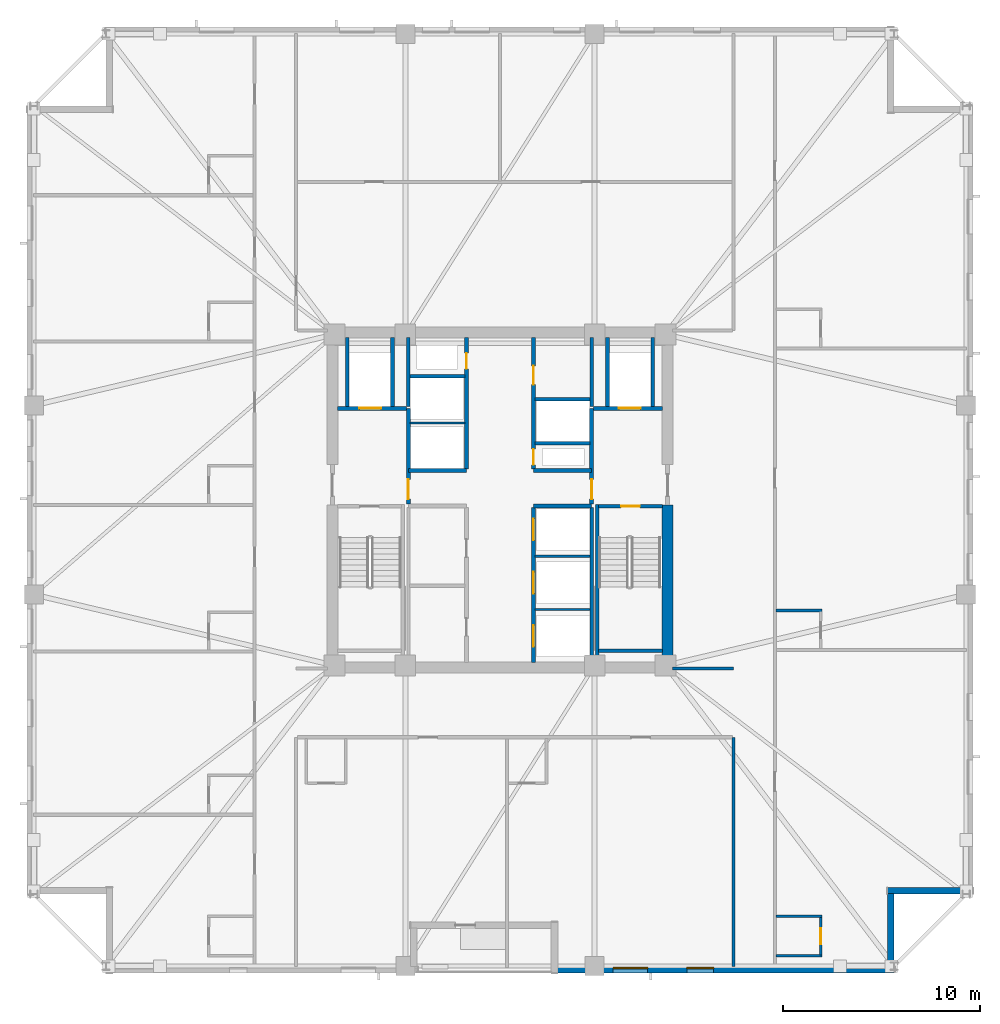
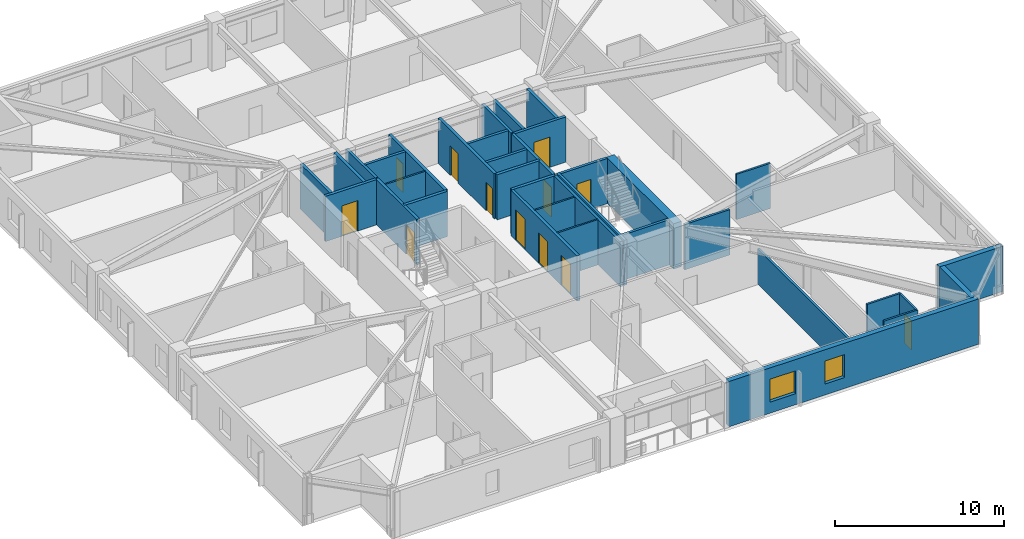
# One storey, part 4 of 11: 36 walls, 12 doors, 2 windows, 14 openings.
"""IFC4 building model written with IfcOpenShell, lengths in metres."""

from ifc_helpers import new_model, si_unit, direction, frame, frame_2d, origin, place, context, subcontext, project, spatial, rectangle, extrude, material, layer, layer_set, type_object, element, fill, save


model = new_model("IFC4")

# Units and contexts
model_context = context("Model", 3, precision=1e-05, world=origin(), true_north=direction((0.0, 1.0)))
body_context = subcontext(model_context, "Body", "Model", "MODEL_VIEW")
ifc_project = project(units=[si_unit("LENGTHUNIT", "METRE"), si_unit("AREAUNIT", "SQUARE_METRE"), si_unit("VOLUMEUNIT", "CUBIC_METRE"), si_unit("PLANEANGLEUNIT", "RADIAN"), si_unit("MASSUNIT", "GRAM", prefix="KILO")], contexts=[model_context])

# Site, building, storey
site_placement = place(None, origin())
site = spatial("IfcSite", under=ifc_project, at=site_placement, CompositionType="ELEMENT")
building_placement = place(site_placement, origin())
building = spatial("IfcBuilding", under=site, at=building_placement, Name="Cairnveth Concourse Tower", CompositionType="ELEMENT")
storey_placement = place(building_placement, frame((0.0, 0.0, 151.5)))
storey = spatial("IfcBuildingStorey", under=building, at=storey_placement, Name="L41", CompositionType="ELEMENT", Elevation=151.5)

# Walls
ifc_material_1 = material(Name="Gypsum Plasterboard Partition", Category="gypsum")
ifc_layer_1 = layer(ifc_material_1, 0.159912109375)
ifc_layer_set_1 = layer_set([ifc_layer_1], Name="Gypsum Plasterboard Partition")
wall_type_1 = type_object("IfcWallType", Name="ACOUSTIC PARTY WALL 180", PredefinedType="PARTITIONING", material=ifc_layer_set_1)
wall_1_placement = place(storey_placement, frame((63.85009765625, 15.324951171875, 0.0), z_axis=(0.0, 0.0, 1.0), x_axis=(0.0, 1.0, 0.0)))
element("IfcWall", 1, at=wall_1_placement, inside=storey, type_object=wall_type_1, Name="Interior Wall IW-L41-042", PredefinedType="PARTITIONING", context=body_context, shape_type="SweptSolid", body=[
    extrude(rectangle(XDim=11.635009765625, YDim=0.159912109375, at=frame_2d((5.8173828125, 0.0))), origin(), (0.0, 0.0, 1.0), 2.554931640625),
])
wall_2_placement = place(storey_placement, frame((60.764892578125, 30.449951171875, 0.0), z_axis=(0.0, 0.0, 1.0), x_axis=(1.0, 0.0, 0.0)))
element("IfcWall", 2, at=wall_2_placement, inside=storey, type_object=wall_type_1, Name="Interior Wall IW-L41-044", PredefinedType="PARTITIONING", context=body_context, shape_type="SweptSolid", body=[
    extrude(rectangle(XDim=3.085205078125, YDim=0.159912109375, at=frame_2d((1.54248046875, 0.0))), origin(), (0.0, 0.0, 1.0), 3.280029296875),
])
ifc_material_2 = material(Name="Concrete N80 (80 MPa)", Category="concrete")
ifc_layer_2 = layer(ifc_material_2, 0.550048828125)
ifc_layer_set_2 = layer_set([ifc_layer_2], Name="Concrete N80 (80 MPa)")
wall_type_2 = type_object("IfcWallType", Name="CORE SHEAR WALL 550", PredefinedType="SHEAR", material=ifc_layer_set_2)
wall_3_placement = place(storey_placement, frame((60.5, 30.764892578125, 0.0), z_axis=(0.0, 0.0, 1.0), x_axis=(0.0, 1.0, 0.0)))
element("IfcWall", 3, at=wall_3_placement, inside=storey, type_object=wall_type_2, Name="Core East Shear Wall S L41", PredefinedType="SHEAR", context=body_context, shape_type="SweptSolid", body=[
    extrude(rectangle(XDim=7.985107421875, YDim=0.550048828125, at=frame_2d((3.99267578125, 0.0))), origin(), (0.0, 0.0, 1.0), 3.280029296875),
])
ifc_material_3 = material(Name="Concrete N50 (50 MPa)", Category="concrete")
ifc_layer_3 = layer(ifc_material_3, 0.179931640625)
ifc_layer_set_3 = layer_set([ifc_layer_3], Name="Concrete N50 (50 MPa)")
wall_type_3 = type_object("IfcWallType", Name="FIRE SHAFT WALL 180", PredefinedType="SOLIDWALL", material=ifc_layer_set_3)
wall_4_placement = place(storey_placement, frame((56.64990234375, 30.760009765625, 0.0), z_axis=(0.0, 0.0, 1.0), x_axis=(0.0, 1.0, 0.0)))
element("IfcWall", 4, at=wall_4_placement, inside=storey, type_object=wall_type_3, Name="Interior Wall IW-L41-027", PredefinedType="SOLIDWALL", context=body_context, shape_type="SweptSolid", body=[
    extrude(rectangle(XDim=7.85498046875, YDim=0.179931640625, at=frame_2d((3.927490234375, 0.0))), origin(), (0.0, 0.0, 1.0), 3.280029296875),
])
wall_5_placement = place(storey_placement, frame((47.35009765625, 43.735107421875, 0.0), z_axis=(0.0, 0.0, 1.0), x_axis=(0.0, 1.0, 0.0)))
element("IfcWall", 5, at=wall_5_placement, inside=storey, type_object=wall_type_3, Name="Interior Wall IW-L41-030", PredefinedType="SOLIDWALL", context=body_context, shape_type="SweptSolid", body=[
    extrude(rectangle(XDim=3.5048828125, YDim=0.179931640625, at=frame_2d((1.75244140625, 0.0))), origin(), (0.0, 0.0, 1.0), 3.280029296875),
])
wall_6_placement = place(storey_placement, frame((47.425048828125, 45.280029296875, 0.0), z_axis=(0.0, 0.0, 1.0), x_axis=(1.0, 0.0, 0.0)))
element("IfcWall", 6, at=wall_6_placement, inside=storey, type_object=wall_type_3, Name="Interior Wall IW-L41-032", PredefinedType="SOLIDWALL", context=body_context, shape_type="SweptSolid", body=[
    extrude(rectangle(XDim=2.7900390625, YDim=0.179931640625, at=frame_2d((1.39501953125, 0.0))), origin(), (0.0, 0.0, 1.0), 3.280029296875),
])
wall_7_placement = place(storey_placement, frame((56.64990234375, 43.735107421875, 0.0), z_axis=(0.0, 0.0, 1.0), x_axis=(0.0, 1.0, 0.0)))
element("IfcWall", 7, at=wall_7_placement, inside=storey, type_object=wall_type_3, Name="Interior Wall IW-L41-033", PredefinedType="SOLIDWALL", context=body_context, shape_type="SweptSolid", body=[
    extrude(rectangle(XDim=3.5048828125, YDim=0.179931640625, at=frame_2d((1.75244140625, 0.0))), origin(), (0.0, 0.0, 1.0), 3.280029296875),
])
wall_8_placement = place(storey_placement, frame((53.784912109375, 41.8798828125, 0.0), z_axis=(0.0, 0.0, 1.0), x_axis=(1.0, 0.0, 0.0)))
element("IfcWall", 8, at=wall_8_placement, inside=storey, type_object=wall_type_3, Name="Interior Wall IW-L41-034", PredefinedType="SOLIDWALL", context=body_context, shape_type="SweptSolid", body=[
    extrude(rectangle(XDim=2.780029296875, YDim=0.179931640625, at=frame_2d((1.39013671875, 0.0))), origin(), (0.0, 0.0, 1.0), 3.280029296875),
])
wall_9_placement = place(storey_placement, frame((53.784912109375, 44.1201171875, 0.0), z_axis=(0.0, 0.0, 1.0), x_axis=(1.0, 0.0, 0.0)))
element("IfcWall", 9, at=wall_9_placement, inside=storey, type_object=wall_type_3, Name="Interior Wall IW-L41-035", PredefinedType="SOLIDWALL", context=body_context, shape_type="SweptSolid", body=[
    extrude(rectangle(XDim=2.7900390625, YDim=0.179931640625, at=frame_2d((1.39501953125, 0.0))), origin(), (0.0, 0.0, 1.0), 3.280029296875),
])

# Wall, opening, door
wall_10_placement = place(storey_placement, frame((57.0048828125, 38.68994140625, 0.0), z_axis=(0.0, 0.0, 1.0), x_axis=(1.0, 0.0, 0.0)))
wall_10 = element("IfcWall", 10, at=wall_10_placement, inside=storey, type_object=wall_type_3, Name="Stair ST-2 Shaft Wall NEAR L41", PredefinedType="SOLIDWALL", context=body_context, shape_type="SweptSolid", body=[
    extrude(rectangle(XDim=3.230224609375, YDim=0.179931640625, at=frame_2d((1.615234375, 0.0))), origin(), (0.0, 0.0, 1.0), 3.280029296875),
])
opening_1_placement = place(wall_10_placement, frame((1.139892578125, 0.0, 0.0)))
opening_1 = element("IfcOpeningElement", 11, at=opening_1_placement, cuts=wall_10, Name="Opening ID12", PredefinedType="OPENING", context=body_context, shape_type="SweptSolid", body=[
    extrude(rectangle(XDim=0.949951171875, YDim=2.14990234375, at=frame_2d((0.47509765625, 1.074951171875))), frame((0.0, 0.099853515625, 0.0), z_axis=(0.0, -1.0, 0.0), x_axis=(1.0, 0.0, 0.0)), (0.0, 0.0, 1.0), 0.199951171875),
])
ifc_material_4 = material(Name="Steel Grade 350", Category="steel")
door_type_1 = type_object("IfcDoorType", Name="FIRE STAIR DOOR 950X2150", OperationType="NOTDEFINED", PredefinedType="DOOR", material=ifc_material_4)
door_1_placement = place(opening_1_placement, origin())
door_1 = element("IfcDoor", 12, at=door_1_placement, inside=storey, type_object=door_type_1, Name="Stair ST-2 Fire Door L41", OperationType="SINGLE_SWING_RIGHT", OverallHeight=2.14990234375, OverallWidth=0.949951171875, PredefinedType="DOOR", context=body_context, shape_type="SweptSolid", body=[
    extrude(rectangle(XDim=0.949951171875, YDim=2.14990234375, at=frame_2d((0.47509765625, 1.074951171875))), frame((0.0, 0.02490234375, 0.0), z_axis=(0.0, -1.0, 0.0), x_axis=(1.0, 0.0, 0.0)), (0.0, 0.0, 1.0), 0.050048828125),
])
fill(opening_1, door_1)

# Walls
wall_11_placement = place(storey_placement, frame((57.0048828125, 31.360107421875, 0.0), z_axis=(0.0, 0.0, 1.0), x_axis=(1.0, 0.0, 0.0)))
element("IfcWall", 13, at=wall_11_placement, inside=storey, type_object=wall_type_3, Name="Stair ST-2 Shaft Wall FAR L41", PredefinedType="SOLIDWALL", context=body_context, shape_type="SweptSolid", body=[
    extrude(rectangle(XDim=3.230224609375, YDim=0.179931640625, at=frame_2d((1.615234375, 0.0))), origin(), (0.0, 0.0, 1.0), 3.280029296875),
])
wall_12_placement = place(storey_placement, frame((56.929931640625, 38.780029296875, 0.0), z_axis=(0.0, 0.0, 1.0), x_axis=(0.0, -1.0, 0.0)))
element("IfcWall", 14, at=wall_12_placement, inside=storey, type_object=wall_type_3, Name="Stair ST-2 Shaft Wall LEFT L41", PredefinedType="SOLIDWALL", context=body_context, shape_type="SweptSolid", body=[
    extrude(rectangle(XDim=8.01708984375, YDim=0.179931640625, at=frame_2d((4.008544921875, 0.0))), origin(), (0.0, 0.0, 1.0), 3.280029296875),
])
ifc_layer_4 = layer(ifc_material_3, 0.199951171875)
ifc_layer_set_4 = layer_set([ifc_layer_4], Name="Concrete N50 (50 MPa)")
wall_type_4 = type_object("IfcWallType", Name="FIRE SHAFT WALL 200", PredefinedType="SOLIDWALL", material=ifc_layer_set_4)
for number, where, z_axis, x_axis, name in (
    (15, (47.35009765625, 40.5, 0.0), (0.0, 0.0, 1.0), (1.0, 0.0, 0.0), "Interior Wall IW-L41-008"),
    (16, (53.699951171875, 38.699951171875, 0.0), (0.0, 0.0, 1.0), (1.0, 0.0, 0.0), "Interior Wall IW-L41-009"),
    (17, (53.699951171875, 40.5, 0.0), (0.0, 0.0, 1.0), (1.0, 0.0, 0.0), "Interior Wall IW-L41-010"),
):
    element("IfcWall", number, at=place(storey_placement, frame(where, z_axis=z_axis, x_axis=x_axis)), inside=storey, type_object=wall_type_4, Name=name, PredefinedType="SOLIDWALL", context=body_context, shape_type="SweptSolid", body=[
        extrude(rectangle(XDim=2.949951171875, YDim=0.199951171875, at=frame_2d((1.47509765625, 0.0))), origin(), (0.0, 0.0, 1.0), 3.280029296875),
    ])

# Wall, openings, doors
wall_13_placement = place(storey_placement, frame((53.699951171875, 30.760009765625, 0.0), z_axis=(0.0, 0.0, 1.0), x_axis=(0.0, 1.0, 0.0)))
wall_13 = element("IfcWall", 18, at=wall_13_placement, inside=storey, type_object=wall_type_4, Name="Interior Wall IW-L41-012", PredefinedType="SOLIDWALL", context=body_context, shape_type="SweptSolid", body=[
    extrude(rectangle(XDim=7.85498046875, YDim=0.199951171875, at=frame_2d((3.927490234375, 0.0))), origin(), (0.0, 0.0, 1.0), 3.280029296875),
])
opening_2_placement = place(wall_13_placement, frame((0.7900390625, 0.0, 0.0)))
opening_2 = element("IfcOpeningElement", 19, at=opening_2_placement, cuts=wall_13, Name="Opening LD-1", PredefinedType="OPENING", context=body_context, shape_type="SweptSolid", body=[
    extrude(rectangle(XDim=1.10009765625, YDim=2.199951171875, at=frame_2d((0.550048828125, 1.10009765625))), frame((0.0, 0.10986328125, 0.0), z_axis=(0.0, -1.0, 0.0), x_axis=(1.0, 0.0, 0.0)), (0.0, 0.0, 1.0), 0.219970703125),
])
opening_3_placement = place(wall_13_placement, frame((3.489990234375, 0.0, 0.0)))
opening_3 = element("IfcOpeningElement", 20, at=opening_3_placement, cuts=wall_13, Name="Opening LD-1", PredefinedType="OPENING", context=body_context, shape_type="SweptSolid", body=[
    extrude(rectangle(XDim=1.10009765625, YDim=2.199951171875, at=frame_2d((0.550048828125, 1.10009765625))), frame((0.0, 0.10986328125, 0.0), z_axis=(0.0, -1.0, 0.0), x_axis=(1.0, 0.0, 0.0)), (0.0, 0.0, 1.0), 0.219970703125),
])
opening_4_placement = place(wall_13_placement, frame((6.18994140625, 0.0, 0.0)))
opening_4 = element("IfcOpeningElement", 21, at=opening_4_placement, cuts=wall_13, Name="Opening LD-1", PredefinedType="OPENING", context=body_context, shape_type="SweptSolid", body=[
    extrude(rectangle(XDim=1.10009765625, YDim=2.199951171875, at=frame_2d((0.550048828125, 1.10009765625))), frame((0.0, 0.10986328125, 0.0), z_axis=(0.0, -1.0, 0.0), x_axis=(1.0, 0.0, 0.0)), (0.0, 0.0, 1.0), 0.219970703125),
])
ifc_material_5 = material(Name="Architectural Bronze Anodised Aluminium 6063-T6", Category="aluminium")
door_type_2 = type_object("IfcDoorType", Name="LIFT LANDING DOOR 1100X2200", OperationType="SLIDING_TO_LEFT", PredefinedType="DOOR", material=ifc_material_5)
door_2_placement = place(opening_2_placement, origin())
door_2 = element("IfcDoor", 22, at=door_2_placement, inside=storey, type_object=door_type_2, Name="Lift PL4 Landing Door L41", OperationType="SLIDING_TO_LEFT", OverallHeight=2.199951171875, OverallWidth=1.10009765625, PredefinedType="DOOR", context=body_context, shape_type="SweptSolid", body=[
    extrude(rectangle(XDim=1.10009765625, YDim=2.199951171875, at=frame_2d((0.550048828125, 1.10009765625))), frame((0.0, 0.02490234375, 0.0), z_axis=(0.0, -1.0, 0.0), x_axis=(1.0, 0.0, 0.0)), (0.0, 0.0, 1.0), 0.050048828125),
])
fill(opening_2, door_2)
door_3_placement = place(opening_3_placement, origin())
door_3 = element("IfcDoor", 23, at=door_3_placement, inside=storey, type_object=door_type_2, Name="Lift PL5 Landing Door L41", OperationType="SLIDING_TO_LEFT", OverallHeight=2.199951171875, OverallWidth=1.10009765625, PredefinedType="DOOR", context=body_context, shape_type="SweptSolid", body=[
    extrude(rectangle(XDim=1.10009765625, YDim=2.199951171875, at=frame_2d((0.550048828125, 1.10009765625))), frame((0.0, 0.02490234375, 0.0), z_axis=(0.0, -1.0, 0.0), x_axis=(1.0, 0.0, 0.0)), (0.0, 0.0, 1.0), 0.050048828125),
])
fill(opening_3, door_3)
door_4_placement = place(opening_4_placement, origin())
door_4 = element("IfcDoor", 24, at=door_4_placement, inside=storey, type_object=door_type_2, Name="Lift PL6 Landing Door L41", OperationType="SLIDING_TO_LEFT", OverallHeight=2.199951171875, OverallWidth=1.10009765625, PredefinedType="DOOR", context=body_context, shape_type="SweptSolid", body=[
    extrude(rectangle(XDim=1.10009765625, YDim=2.199951171875, at=frame_2d((0.550048828125, 1.10009765625))), frame((0.0, 0.02490234375, 0.0), z_axis=(0.0, -1.0, 0.0), x_axis=(1.0, 0.0, 0.0)), (0.0, 0.0, 1.0), 0.050048828125),
])
fill(opening_4, door_4)

# Wall, opening, door
wall_14_placement = place(storey_placement, frame((50.300048828125, 40.5849609375, 0.0), z_axis=(0.0, 0.0, 1.0), x_axis=(0.0, 1.0, 0.0)))
wall_14 = element("IfcWall", 25, at=wall_14_placement, inside=storey, type_object=wall_type_4, Name="Interior Wall IW-L41-013", PredefinedType="SOLIDWALL", context=body_context, shape_type="SweptSolid", body=[
    extrude(rectangle(XDim=6.655029296875, YDim=0.199951171875, at=frame_2d((3.32763671875, 0.0))), origin(), (0.0, 0.0, 1.0), 3.280029296875),
])
opening_5_placement = place(wall_14_placement, frame((5.06494140625, 0.0, 0.0)))
opening_5 = element("IfcOpeningElement", 26, at=opening_5_placement, cuts=wall_14, Name="Opening ID24", PredefinedType="OPENING", context=body_context, shape_type="SweptSolid", body=[
    extrude(rectangle(XDim=0.800048828125, YDim=2.080078125, at=frame_2d((0.39990234375, 1.0400390625))), frame((0.0, 0.10986328125, 0.0), z_axis=(0.0, -1.0, 0.0), x_axis=(1.0, 0.0, 0.0)), (0.0, 0.0, 1.0), 0.219970703125),
])
door_type_3 = type_object("IfcDoorType", Name="RISER ACCESS DOOR 800X2100", OperationType="NOTDEFINED", PredefinedType="DOOR", material=ifc_material_4)
door_5_placement = place(opening_5_placement, origin())
door_5 = element("IfcDoor", 27, at=door_5_placement, inside=storey, type_object=door_type_3, Name="NW Electrical Riser Access Door L41", OperationType="SINGLE_SWING_RIGHT", OverallHeight=2.080078125, OverallWidth=0.800048828125, PredefinedType="DOOR", context=body_context, shape_type="SweptSolid", body=[
    extrude(rectangle(XDim=0.800048828125, YDim=2.080078125, at=frame_2d((0.39990234375, 1.0400390625))), frame((0.0, 0.02490234375, 0.0), z_axis=(0.0, -1.0, 0.0), x_axis=(1.0, 0.0, 0.0)), (0.0, 0.0, 1.0), 0.050048828125),
])
fill(opening_5, door_5)

# Wall, openings, doors
wall_15_placement = place(storey_placement, frame((53.699951171875, 40.5849609375, 0.0), z_axis=(0.0, 0.0, 1.0), x_axis=(0.0, 1.0, 0.0)))
wall_15 = element("IfcWall", 28, at=wall_15_placement, inside=storey, type_object=wall_type_4, Name="Interior Wall IW-L41-014", PredefinedType="SOLIDWALL", context=body_context, shape_type="SweptSolid", body=[
    extrude(rectangle(XDim=6.655029296875, YDim=0.199951171875, at=frame_2d((3.32763671875, 0.0))), origin(), (0.0, 0.0, 1.0), 3.280029296875),
])
opening_6_placement = place(wall_15_placement, frame((0.195068359375, 0.0, 0.0)))
opening_6 = element("IfcOpeningElement", 29, at=opening_6_placement, cuts=wall_15, Name="Opening ID24", PredefinedType="OPENING", context=body_context, shape_type="SweptSolid", body=[
    extrude(rectangle(XDim=0.800048828125, YDim=2.080078125, at=frame_2d((0.39990234375, 1.0400390625))), frame((0.0, 0.10986328125, 0.0), z_axis=(0.0, -1.0, 0.0), x_axis=(1.0, 0.0, 0.0)), (0.0, 0.0, 1.0), 0.219970703125),
])
opening_7_placement = place(wall_15_placement, frame((4.264892578125, 0.0, 0.0)))
opening_7 = element("IfcOpeningElement", 30, at=opening_7_placement, cuts=wall_15, Name="Opening ID25", PredefinedType="OPENING", context=body_context, shape_type="SweptSolid", body=[
    extrude(rectangle(XDim=0.949951171875, YDim=2.1201171875, at=frame_2d((0.47509765625, 1.06005859375))), frame((0.0, 0.10986328125, 0.0), z_axis=(0.0, -1.0, 0.0), x_axis=(1.0, 0.0, 0.0)), (0.0, 0.0, 1.0), 0.219970703125),
])
door_type_4 = type_object("IfcDoorType", Name="CORE ACCESSIBLE FIRE DOOR 950X2120", OperationType="NOTDEFINED", PredefinedType="DOOR", material=ifc_material_4)
door_6_placement = place(opening_7_placement, origin())
door_6 = element("IfcDoor", 31, at=door_6_placement, inside=storey, type_object=door_type_4, Name="Core NE Accessible WC Door L41", OperationType="SINGLE_SWING_RIGHT", OverallHeight=2.1201171875, OverallWidth=0.949951171875, PredefinedType="DOOR", context=body_context, shape_type="SweptSolid", body=[
    extrude(rectangle(XDim=0.949951171875, YDim=2.1201171875, at=frame_2d((0.47509765625, 1.06005859375))), frame((0.0, 0.02490234375, 0.0), z_axis=(0.0, -1.0, 0.0), x_axis=(1.0, 0.0, 0.0)), (0.0, 0.0, 1.0), 0.050048828125),
])
fill(opening_7, door_6)
door_7_placement = place(opening_6_placement, origin())
door_7 = element("IfcDoor", 32, at=door_7_placement, inside=storey, type_object=door_type_3, Name="Hydraulic Riser Door L41", OperationType="SINGLE_SWING_LEFT", OverallHeight=2.080078125, OverallWidth=0.800048828125, PredefinedType="DOOR", context=body_context, shape_type="SweptSolid", body=[
    extrude(rectangle(XDim=0.800048828125, YDim=2.080078125, at=frame_2d((0.39990234375, 1.0400390625))), frame((0.0, 0.02490234375, 0.0), z_axis=(0.0, -1.0, 0.0), x_axis=(1.0, 0.0, 0.0)), (0.0, 0.0, 1.0), 0.050048828125),
])
fill(opening_6, door_7)

# Wall, opening, door
wall_16_placement = place(storey_placement, frame((47.35009765625, 38.784912109375, 0.0), z_axis=(0.0, 0.0, 1.0), x_axis=(0.0, 1.0, 0.0)))
wall_16 = element("IfcWall", 33, at=wall_16_placement, inside=storey, type_object=wall_type_4, Name="Interior Wall IW-L41-016", PredefinedType="SOLIDWALL", context=body_context, shape_type="SweptSolid", body=[
    extrude(rectangle(XDim=4.864990234375, YDim=0.199951171875, at=frame_2d((2.4326171875, 0.0))), origin(), (0.0, 0.0, 1.0), 3.280029296875),
])
opening_8_placement = place(wall_16_placement, frame((0.264892578125, 0.0, 0.0)))
opening_8 = element("IfcOpeningElement", 34, at=opening_8_placement, cuts=wall_16, Name="Opening ID07", PredefinedType="OPENING", context=body_context, shape_type="SweptSolid", body=[
    extrude(rectangle(XDim=1.0, YDim=2.14990234375, at=frame_2d((0.5, 1.074951171875))), frame((0.0, 0.10986328125, 0.0), z_axis=(0.0, -1.0, 0.0), x_axis=(1.0, 0.0, 0.0)), (0.0, 0.0, 1.0), 0.219970703125),
])
door_type_5 = type_object("IfcDoorType", Name="FIRE CORRIDOR DOOR 1000X2150", OperationType="NOTDEFINED", PredefinedType="DOOR", material=ifc_material_4)
door_8_placement = place(opening_8_placement, origin())
door_8 = element("IfcDoor", 35, at=door_8_placement, inside=storey, type_object=door_type_5, Name="FF Lobby West to Lift Lobby Door L41", OperationType="SINGLE_SWING_RIGHT", OverallHeight=2.14990234375, OverallWidth=1.0, PredefinedType="DOOR", context=body_context, shape_type="SweptSolid", body=[
    extrude(rectangle(XDim=1.0, YDim=2.14990234375, at=frame_2d((0.5, 1.074951171875))), frame((0.0, 0.02490234375, 0.0), z_axis=(0.0, -1.0, 0.0), x_axis=(1.0, 0.0, 0.0)), (0.0, 0.0, 1.0), 0.050048828125),
])
fill(opening_8, door_8)

wall_17_placement = place(storey_placement, frame((43.760009765625, 43.64990234375, 0.0), z_axis=(0.0, 0.0, 1.0), x_axis=(1.0, 0.0, 0.0)))
wall_17 = element("IfcWall", 36, at=wall_17_placement, inside=storey, type_object=wall_type_4, Name="Interior Wall IW-L41-017", PredefinedType="SOLIDWALL", context=body_context, shape_type="SweptSolid", body=[
    extrude(rectangle(XDim=3.5048828125, YDim=0.199951171875, at=frame_2d((1.75244140625, 0.0))), origin(), (0.0, 0.0, 1.0), 3.280029296875),
])
opening_9_placement = place(wall_17_placement, frame((1.110107421875, 0.0, 0.0)))
opening_9 = element("IfcOpeningElement", 37, at=opening_9_placement, cuts=wall_17, Name="Opening LD-1", PredefinedType="OPENING", context=body_context, shape_type="SweptSolid", body=[
    extrude(rectangle(XDim=1.10009765625, YDim=2.199951171875, at=frame_2d((0.550048828125, 1.10009765625))), frame((0.0, 0.10986328125, 0.0), z_axis=(0.0, -1.0, 0.0), x_axis=(1.0, 0.0, 0.0)), (0.0, 0.0, 1.0), 0.219970703125),
])
door_9_placement = place(opening_9_placement, origin())
door_9 = element("IfcDoor", 38, at=door_9_placement, inside=storey, type_object=door_type_2, Name="Lift FFL1 Landing Door L41", OperationType="SLIDING_TO_LEFT", OverallHeight=2.199951171875, OverallWidth=1.10009765625, PredefinedType="DOOR", context=body_context, shape_type="SweptSolid", body=[
    extrude(rectangle(XDim=1.10009765625, YDim=2.199951171875, at=frame_2d((0.550048828125, 1.10009765625))), frame((0.0, 0.02490234375, 0.0), z_axis=(0.0, -1.0, 0.0), x_axis=(1.0, 0.0, 0.0)), (0.0, 0.0, 1.0), 0.050048828125),
])
fill(opening_9, door_9)

# Walls
for number, where, z_axis, x_axis, name in (
    (39, (46.550048828125, 43.735107421875, 0.0), (0.0, 0.0, 1.0), (0.0, 1.0, 0.0), "Interior Wall IW-L41-018"),
    (40, (44.25, 43.735107421875, 0.0), (0.0, 0.0, 1.0), (0.0, 1.0, 0.0), "Interior Wall IW-L41-019"),
):
    element("IfcWall", number, at=place(storey_placement, frame(where, z_axis=z_axis, x_axis=x_axis)), inside=storey, type_object=wall_type_4, Name=name, PredefinedType="SOLIDWALL", context=body_context, shape_type="SweptSolid", body=[
        extrude(rectangle(XDim=3.5048828125, YDim=0.199951171875, at=frame_2d((1.75244140625, 0.0))), origin(), (0.0, 0.0, 1.0), 3.280029296875),
    ])

# Wall, opening, door
wall_18_placement = place(storey_placement, frame((56.64990234375, 38.784912109375, 0.0), z_axis=(0.0, 0.0, 1.0), x_axis=(0.0, 1.0, 0.0)))
wall_18 = element("IfcWall", 41, at=wall_18_placement, inside=storey, type_object=wall_type_4, Name="Interior Wall IW-L41-021", PredefinedType="SOLIDWALL", context=body_context, shape_type="SweptSolid", body=[
    extrude(rectangle(XDim=4.864990234375, YDim=0.199951171875, at=frame_2d((2.4326171875, 0.0))), origin(), (0.0, 0.0, 1.0), 3.280029296875),
])
opening_10_placement = place(wall_18_placement, frame((0.264892578125, 0.0, 0.0)))
opening_10 = element("IfcOpeningElement", 42, at=opening_10_placement, cuts=wall_18, Name="Opening ID07", PredefinedType="OPENING", context=body_context, shape_type="SweptSolid", body=[
    extrude(rectangle(XDim=1.0, YDim=2.14990234375, at=frame_2d((0.5, 1.074951171875))), frame((0.0, 0.10986328125, 0.0), z_axis=(0.0, -1.0, 0.0), x_axis=(1.0, 0.0, 0.0)), (0.0, 0.0, 1.0), 0.219970703125),
])
door_10_placement = place(opening_10_placement, origin())
door_10 = element("IfcDoor", 43, at=door_10_placement, inside=storey, type_object=door_type_5, Name="FF Lobby East to Lift Lobby Door L41", OperationType="SINGLE_SWING_LEFT", OverallHeight=2.14990234375, OverallWidth=1.0, PredefinedType="DOOR", context=body_context, shape_type="SweptSolid", body=[
    extrude(rectangle(XDim=1.0, YDim=2.14990234375, at=frame_2d((0.5, 1.074951171875))), frame((0.0, 0.02490234375, 0.0), z_axis=(0.0, -1.0, 0.0), x_axis=(1.0, 0.0, 0.0)), (0.0, 0.0, 1.0), 0.050048828125),
])
fill(opening_10, door_10)

wall_19_placement = place(storey_placement, frame((56.735107421875, 43.64990234375, 0.0), z_axis=(0.0, 0.0, 1.0), x_axis=(1.0, 0.0, 0.0)))
wall_19 = element("IfcWall", 44, at=wall_19_placement, inside=storey, type_object=wall_type_4, Name="Interior Wall IW-L41-022", PredefinedType="SOLIDWALL", context=body_context, shape_type="SweptSolid", body=[
    extrude(rectangle(XDim=3.5048828125, YDim=0.199951171875, at=frame_2d((1.75244140625, 0.0))), origin(), (0.0, 0.0, 1.0), 3.280029296875),
])
opening_11_placement = place(wall_19_placement, frame((1.294921875, 0.0, 0.0)))
opening_11 = element("IfcOpeningElement", 45, at=opening_11_placement, cuts=wall_19, Name="Opening LD-1", PredefinedType="OPENING", context=body_context, shape_type="SweptSolid", body=[
    extrude(rectangle(XDim=1.10009765625, YDim=2.199951171875, at=frame_2d((0.550048828125, 1.10009765625))), frame((0.0, 0.10986328125, 0.0), z_axis=(0.0, -1.0, 0.0), x_axis=(1.0, 0.0, 0.0)), (0.0, 0.0, 1.0), 0.219970703125),
])
door_11_placement = place(opening_11_placement, origin())
door_11 = element("IfcDoor", 46, at=door_11_placement, inside=storey, type_object=door_type_2, Name="Lift FFL2 Landing Door L41", OperationType="SLIDING_TO_LEFT", OverallHeight=2.199951171875, OverallWidth=1.10009765625, PredefinedType="DOOR", context=body_context, shape_type="SweptSolid", body=[
    extrude(rectangle(XDim=1.10009765625, YDim=2.199951171875, at=frame_2d((0.550048828125, 1.10009765625))), frame((0.0, 0.02490234375, 0.0), z_axis=(0.0, -1.0, 0.0), x_axis=(1.0, 0.0, 0.0)), (0.0, 0.0, 1.0), 0.050048828125),
])
fill(opening_11, door_11)

# Walls
for number, where, z_axis, x_axis, name in (
    (47, (57.449951171875, 43.735107421875, 0.0), (0.0, 0.0, 1.0), (0.0, 1.0, 0.0), "Interior Wall IW-L41-023"),
    (48, (59.75, 43.735107421875, 0.0), (0.0, 0.0, 1.0), (0.0, 1.0, 0.0), "Interior Wall IW-L41-024"),
):
    element("IfcWall", number, at=place(storey_placement, frame(where, z_axis=z_axis, x_axis=x_axis)), inside=storey, type_object=wall_type_4, Name=name, PredefinedType="SOLIDWALL", context=body_context, shape_type="SweptSolid", body=[
        extrude(rectangle(XDim=3.5048828125, YDim=0.199951171875, at=frame_2d((1.75244140625, 0.0))), origin(), (0.0, 0.0, 1.0), 3.280029296875),
    ])
ifc_layer_5 = layer(ifc_material_1, 0.110107421875)
ifc_layer_set_5 = layer_set([ifc_layer_5], Name="Gypsum Plasterboard Partition")
wall_type_5 = type_object("IfcWallType", Name="SHAFT DIVIDER WALL 140", PredefinedType="PARTITIONING", material=ifc_layer_set_5)
for number, where, z_axis, x_axis, name in (
    (49, (53.784912109375, 33.449951171875, 0.0), (0.0, 0.0, 1.0), (1.0, 0.0, 0.0), "Interior Wall IW-L41-028"),
    (50, (53.784912109375, 36.14990234375, 0.0), (0.0, 0.0, 1.0), (1.0, 0.0, 0.0), "Interior Wall IW-L41-029"),
):
    element("IfcWall", number, at=place(storey_placement, frame(where, z_axis=z_axis, x_axis=x_axis)), inside=storey, type_object=wall_type_5, Name=name, PredefinedType="PARTITIONING", context=body_context, shape_type="SweptSolid", body=[
        extrude(rectangle(XDim=2.7900390625, YDim=0.110107421875, at=frame_2d((1.39501953125, 0.0))), origin(), (0.0, 0.0, 1.0), 3.280029296875),
    ])
wall_20_placement = place(storey_placement, frame((47.43505859375, 42.89990234375, 0.0), z_axis=(0.0, 0.0, 1.0), x_axis=(1.0, 0.0, 0.0)))
element("IfcWall", 51, at=wall_20_placement, inside=storey, type_object=wall_type_5, Name="Interior Wall IW-L41-031", PredefinedType="PARTITIONING", context=body_context, shape_type="SweptSolid", body=[
    extrude(rectangle(XDim=2.780029296875, YDim=0.110107421875, at=frame_2d((1.39013671875, 0.0))), origin(), (0.0, 0.0, 1.0), 3.280029296875),
])
ifc_layer_6 = layer(ifc_material_1, 0.1298828125)
ifc_layer_set_6 = layer_set([ifc_layer_6], Name="Gypsum Plasterboard Partition")
wall_type_6 = type_object("IfcWallType", Name="WET AREA PARTITION 140", PredefinedType="PLUMBINGWALL", material=ifc_layer_set_6)
for number, where, z_axis, x_axis, name in (
    (52, (66.014892578125, 15.8701171875, 0.0), (0.0, 0.0, 1.0), (1.0, 0.0, 0.0), "Interior Wall IW-L41-073"),
    (53, (66.014892578125, 17.8701171875, 0.0), (0.0, 0.0, 1.0), (1.0, 0.0, 0.0), "Interior Wall IW-L41-074"),
):
    element("IfcWall", number, at=place(storey_placement, frame(where, z_axis=z_axis, x_axis=x_axis)), inside=storey, type_object=wall_type_6, Name=name, PredefinedType="PLUMBINGWALL", context=body_context, shape_type="SweptSolid", body=[
        extrude(rectangle(XDim=2.315185546875, YDim=0.1298828125, at=frame_2d((1.15771484375, 0.0))), origin(), (0.0, 0.0, 1.0), 3.280029296875),
    ])

# Wall, opening, door
wall_21_placement = place(storey_placement, frame((68.280029296875, 15.919921875, 0.0), z_axis=(0.0, 0.0, 1.0), x_axis=(0.0, 1.0, 0.0)))
wall_21 = element("IfcWall", 54, at=wall_21_placement, inside=storey, type_object=wall_type_6, Name="Interior Wall IW-L41-075", PredefinedType="PLUMBINGWALL", context=body_context, shape_type="SweptSolid", body=[
    extrude(rectangle(XDim=1.900146484375, YDim=0.1298828125, at=frame_2d((0.9501953125, 0.0))), origin(), (0.0, 0.0, 1.0), 3.280029296875),
])
opening_12_placement = place(wall_21_placement, frame((0.5400390625, 0.0, 0.0)))
opening_12 = element("IfcOpeningElement", 55, at=opening_12_placement, cuts=wall_21, Name="Opening ID22", PredefinedType="OPENING", context=body_context, shape_type="SweptSolid", body=[
    extrude(rectangle(XDim=0.820068359375, YDim=2.10009765625, at=frame_2d((0.41015625, 1.050048828125))), frame((0.0, 0.074951171875, 0.0), z_axis=(0.0, -1.0, 0.0), x_axis=(1.0, 0.0, 0.0)), (0.0, 0.0, 1.0), 0.14990234375),
])
ifc_material_6 = material(Name="Solid Core Hardwood Timber Leaf", Category="wood")
door_type_6 = type_object("IfcDoorType", Name="INTERIOR WC DOOR 820X2100", OperationType="NOTDEFINED", PredefinedType="DOOR", material=ifc_material_6)
door_12_placement = place(opening_12_placement, origin())
door_12 = element("IfcDoor", 56, at=door_12_placement, inside=storey, type_object=door_type_6, Name="En-Suite Door L41-E1", OperationType="SINGLE_SWING_RIGHT", OverallHeight=2.10009765625, OverallWidth=0.820068359375, PredefinedType="DOOR", context=body_context, shape_type="SweptSolid", body=[
    extrude(rectangle(XDim=0.820068359375, YDim=2.10009765625, at=frame_2d((0.41015625, 1.050048828125))), frame((0.0, 0.02490234375, 0.0), z_axis=(0.0, -1.0, 0.0), x_axis=(1.0, 0.0, 0.0)), (0.0, 0.0, 1.0), 0.050048828125),
])
fill(opening_12, door_12)

# Walls
wall_22_placement = place(storey_placement, frame((66.014892578125, 33.3935546875, 0.0), z_axis=(0.0, 0.0, 1.0), x_axis=(1.0, 0.0, 0.0)))
element("IfcWall", 57, at=wall_22_placement, inside=storey, type_object=wall_type_6, Name="Interior Wall IW-L41-077", PredefinedType="PLUMBINGWALL", context=body_context, shape_type="SweptSolid", body=[
    extrude(rectangle(XDim=2.315185546875, YDim=0.1298828125, at=frame_2d((1.15771484375, 0.0))), origin(), (0.0, 0.0, 1.0), 3.280029296875),
])
ifc_material_7 = material(Name="Hawthorn Red-Ochre Fired Clay Brick Masonry", Category="masonry")
ifc_layer_7 = layer(ifc_material_7, 0.340087890625)
ifc_layer_set_7 = layer_set([ifc_layer_7], Name="Hawthorn Red-Ochre Fired Clay Brick Masonry")
wall_type_7 = type_object("IfcWallType", Name="ZONE 2 BRICK PIER SPANDREL WALL 340", PredefinedType="SOLIDWALL", material=ifc_layer_set_7)
wall_23_placement = place(storey_placement, frame((76.0, 19.169921875, 0.0), z_axis=(0.0, 0.0, 1.0), x_axis=(-1.0, 0.0, 0.0)))
element("IfcWall", 58, at=wall_23_placement, inside=storey, type_object=wall_type_7, Name="Exterior Wall EW-L41-S10", PredefinedType="SOLIDWALL", context=body_context, shape_type="SweptSolid", body=[
    extrude(rectangle(XDim=4.340087890625, YDim=0.340087890625, at=frame_2d((2.169921875, 0.0))), origin(), (0.0, 0.0, 1.0), 3.280029296875),
])
wall_24_placement = place(storey_placement, frame((71.830078125, 19.02197265625, 0.0), z_axis=(0.0, 0.0, 1.0), x_axis=(0.0, -1.0, 0.0)))
element("IfcWall", 59, at=wall_24_placement, inside=storey, type_object=wall_type_7, Name="Exterior Wall EW-L41-S11", PredefinedType="SOLIDWALL", context=body_context, shape_type="SweptSolid", body=[
    extrude(rectangle(XDim=3.703857421875, YDim=0.340087890625, at=frame_2d((1.85205078125, 0.0))), origin(), (0.0, 0.0, 1.0), 3.280029296875),
])

# Wall, openings, windows
wall_25_placement = place(storey_placement, frame((72.0, 15.169921875, 0.0), z_axis=(0.0, 0.0, 1.0), x_axis=(-1.0, 0.0, 0.0)))
wall_25 = element("IfcWall", 60, at=wall_25_placement, inside=storey, type_object=wall_type_7, Name="Exterior Wall EW-L41-S12", PredefinedType="SOLIDWALL", context=body_context, shape_type="SweptSolid", body=[
    extrude(rectangle(XDim=17.08203125, YDim=0.340087890625, at=frame_2d((8.541015625, 0.0))), origin(), (0.0, 0.0, 1.0), 3.280029296875),
])
opening_13_placement = place(wall_25_placement, frame((9.166015625, 0.0, 0.800048828125)))
opening_13 = element("IfcOpeningElement", 61, at=opening_13_placement, cuts=wall_25, Name="Opening W02", PredefinedType="OPENING", context=body_context, shape_type="SweptSolid", body=[
    extrude(rectangle(XDim=1.35009765625, YDim=1.659912109375, at=frame_2d((0.675048828125, 0.830078125))), frame((0.0, 0.179931640625, 0.0), z_axis=(0.0, -1.0, 0.0), x_axis=(1.0, 0.0, 0.0)), (0.0, 0.0, 1.0), 0.360107421875),
])
opening_14_placement = place(wall_25_placement, frame((12.510009765625, 0.0, 0.800048828125)))
opening_14 = element("IfcOpeningElement", 62, at=opening_14_placement, cuts=wall_25, Name="Opening W06", PredefinedType="OPENING", context=body_context, shape_type="SweptSolid", body=[
    extrude(rectangle(XDim=1.75, YDim=1.659912109375, at=frame_2d((0.875, 0.830078125))), frame((0.0, 0.179931640625, 0.0), z_axis=(0.0, -1.0, 0.0), x_axis=(1.0, 0.0, 0.0)), (0.0, 0.0, 1.0), 0.360107421875),
])
ifc_material_8 = material(Name="Double Glazed Low-E Clear Glass", Category="glass")
window_type_1 = type_object("IfcWindowType", Name="DEEP-SET GOTHIC LANCET WINDOW 1350X1800", PartitioningType="DOUBLE_PANEL_VERTICAL", PredefinedType="WINDOW", material=ifc_material_8)
window_1_placement = place(opening_13_placement, origin())
window_1 = element("IfcWindow", 63, at=window_1_placement, inside=storey, type_object=window_type_1, Name="Gothic Lancet Window L41-12-2", OverallHeight=1.659912109375, OverallWidth=1.35009765625, PartitioningType="SINGLE_PANEL", PredefinedType="WINDOW", context=body_context, shape_type="SweptSolid", body=[
    extrude(rectangle(XDim=1.35009765625, YDim=1.659912109375, at=frame_2d((0.675048828125, 0.830078125))), frame((0.0, -0.050048828125, 0.0), z_axis=(0.0, -1.0, 0.0), x_axis=(1.0, 0.0, 0.0)), (0.0, 0.0, 1.0), 0.06005859375),
])
fill(opening_13, window_1)
window_type_2 = type_object("IfcWindowType", Name="DEEP-SET HOTEL SUITE WINDOW 1750X1800", PartitioningType="DOUBLE_PANEL_VERTICAL", PredefinedType="WINDOW", material=ifc_material_8)
window_2_placement = place(opening_14_placement, origin())
window_2 = element("IfcWindow", 64, at=window_2_placement, inside=storey, type_object=window_type_2, Name="Gothic Lancet Window L41-12-3", OverallHeight=1.659912109375, OverallWidth=1.75, PartitioningType="SINGLE_PANEL", PredefinedType="WINDOW", context=body_context, shape_type="SweptSolid", body=[
    extrude(rectangle(XDim=1.75, YDim=1.659912109375, at=frame_2d((0.875, 0.830078125))), frame((0.0, -0.050048828125, 0.0), z_axis=(0.0, -1.0, 0.0), x_axis=(1.0, 0.0, 0.0)), (0.0, 0.0, 1.0), 0.06005859375),
])
fill(opening_14, window_2)

save(model, "model.ifc")
